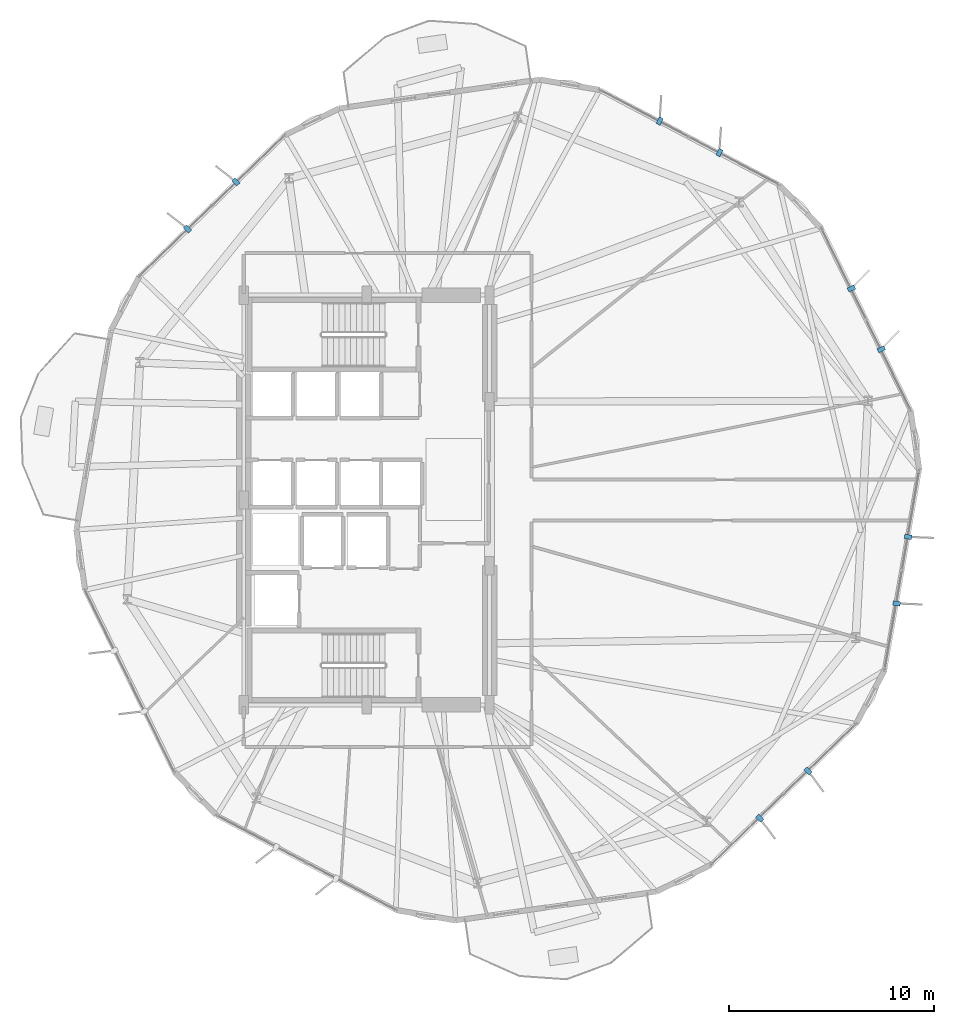
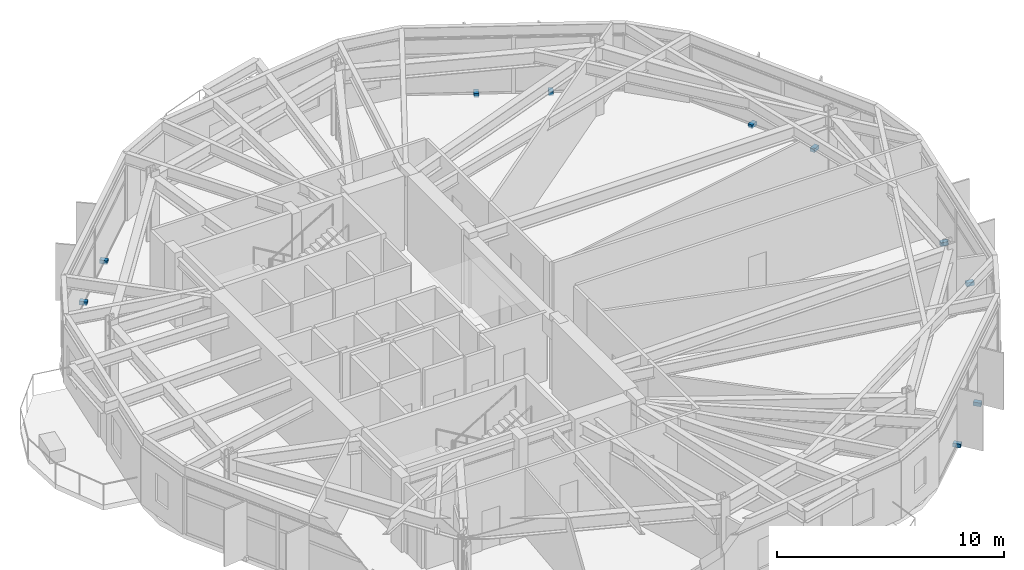
# One storey, part 19 of 22: 10 discrete accessories.
"""IFC4 building model written with IfcOpenShell, lengths in metres."""

from ifc_helpers import new_model, si_unit, direction, frame, origin, origin_2d, place, context, subcontext, project, spatial, rectangle, extrude, material, type_object, element, save


model = new_model("IFC4")

# Units and contexts
model_context = context("Model", 3, precision=1e-05, world=origin(), true_north=direction((0.0, 1.0)))
body_context = subcontext(model_context, "Body", "Model", "MODEL_VIEW")
ifc_project = project(units=[si_unit("LENGTHUNIT", "METRE"), si_unit("AREAUNIT", "SQUARE_METRE"), si_unit("VOLUMEUNIT", "CUBIC_METRE"), si_unit("PLANEANGLEUNIT", "RADIAN"), si_unit("MASSUNIT", "GRAM", prefix="KILO")], contexts=[model_context])

# Site, building, storey
site_placement = place(None, origin())
site = spatial("IfcSite", under=ifc_project, at=site_placement, CompositionType="ELEMENT")
building_placement = place(site_placement, origin())
building = spatial("IfcBuilding", under=site, at=building_placement, Name="Soratama Intermodal Tower", CompositionType="ELEMENT")
storey_placement = place(building_placement, frame((0.0, 0.0, 58.60009765625)))
storey = spatial("IfcBuildingStorey", under=building, at=storey_placement, Name="L13", CompositionType="ELEMENT", Elevation=58.60009765625)

# Discrete accessories
ifc_material = material(Name="Structural steel ASTM A992 Grade 50", Category="steel")
discrete_accessory_type = type_object("IfcDiscreteAccessoryType", Name="AC-FIN-BRACKET", PredefinedType="BRACKET", material=ifc_material)
for number, where, z_axis, x_axis, name in (
    (1, (63.71923828125, 32.357666015625, -0.080078125), (0.0, 0.0, 1.0), (0.897566380225, 0.440879340739, 0.0), "L13 Fin Bracket F01-1"),
    (2, (62.26513671875, 35.31787109375, -0.080078125), (0.0, 0.0, 1.0), (0.897566380225, 0.440879340739, 0.0), "L13 Fin Bracket F01-2"),
    (3, (55.819580078125, 41.955322265625, -0.080078125), (0.0, 0.0, 1.0), (0.467004080655, 0.884255160376, 0.0), "L13 Fin Bracket F02-1"),
    (4, (52.9033203125, 43.49560546875, -0.080078125), (0.0, 0.0, 1.0), (0.467004080655, 0.884255160376, 0.0), "L13 Fin Bracket F02-2"),
    (5, (32.218017578125, 40.529296875, -0.080078125), (0.0, 0.0, 1.0), (-0.696664434978, 0.717397145963, 0.0), "L13 Fin Bracket F04-1"),
    (6, (29.85205078125, 38.231689453125, -0.080078125), (0.0, 0.0, 1.0), (-0.696664434978, 0.717397145963, 0.0), "L13 Fin Bracket F04-2"),
    (7, (57.781982421875, 9.470703125, -0.080078125), (0.0, 0.0, 1.0), (0.696664434978, -0.717397145963, 0.0), "L13 Fin Bracket F09-1"),
    (8, (60.14794921875, 11.768310546875, -0.080078125), (0.0, 0.0, 1.0), (0.696664434978, -0.717397145963, 0.0), "L13 Fin Bracket F09-2"),
    (9, (64.46875, 19.949462890625, -0.080078125), (0.0, 0.0, 1.0), (0.985288829708, -0.170897402123, 0.0), "L13 Fin Bracket F10-1"),
    (10, (65.032470703125, 23.198974609375, -0.080078125), (0.0, 0.0, 1.0), (0.985288829708, -0.170897402123, 0.0), "L13 Fin Bracket F10-2"),
):
    element("IfcDiscreteAccessory", number, at=place(storey_placement, frame(where, z_axis=z_axis, x_axis=x_axis)), inside=storey, type_object=discrete_accessory_type, Name=name, PredefinedType="BRACKET", context=body_context, shape_type="SweptSolid", body=[
        extrude(rectangle(XDim=0.360107421875, YDim=0.219970703125, at=origin_2d()), origin(), (0.0, 0.0, 1.0), 0.199951171875),
    ])

save(model, "model.ifc")
